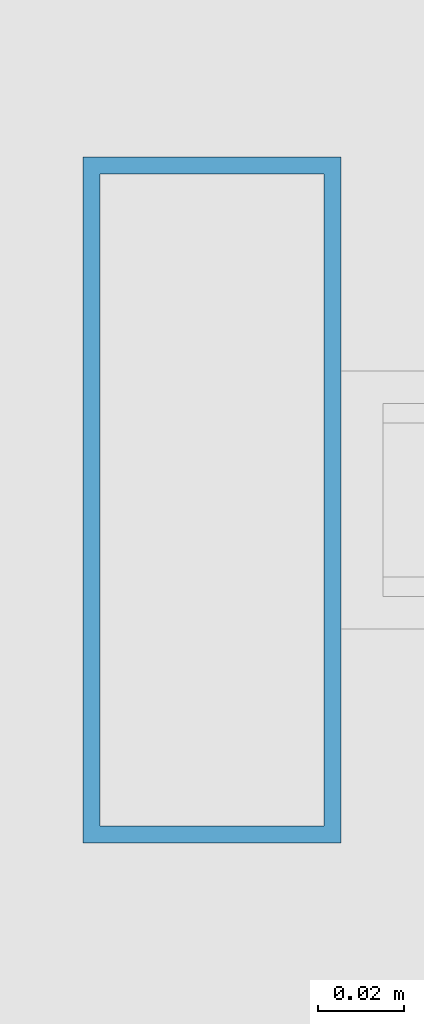
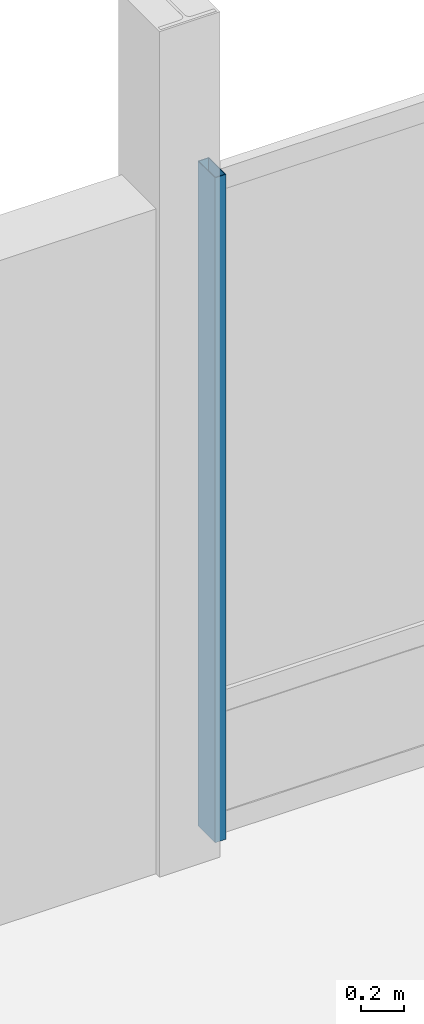
# One storey, part 32 of 193: 1 member, 1 element without a shape of its own.
"""IFC4 building model written with IfcOpenShell, lengths in metres."""

from ifc_helpers import new_model, si_unit, direction, frame, origin, origin_2d, place, context, subcontext, project, spatial, hollow_rectangle, extrude, material, material_profile, profile_set, type_object, element, aggregate, save


model = new_model("IFC4")

# Units and contexts
model_context = context("Model", 3, precision=1e-05, world=origin(), true_north=direction((0.0, 1.0)))
body_context = subcontext(model_context, "Body", "Model", "MODEL_VIEW")
ifc_project = project(units=[si_unit("LENGTHUNIT", "METRE"), si_unit("AREAUNIT", "SQUARE_METRE"), si_unit("VOLUMEUNIT", "CUBIC_METRE"), si_unit("PLANEANGLEUNIT", "RADIAN"), si_unit("MASSUNIT", "GRAM", prefix="KILO")], contexts=[model_context])

# Site, building, storey
site_placement = place(None, origin())
site = spatial("IfcSite", under=ifc_project, at=site_placement, CompositionType="ELEMENT")
building_placement = place(site_placement, origin())
building = spatial("IfcBuilding", under=site, at=building_placement, Name="Cendralis Lancet Convention Centre", CompositionType="ELEMENT")
storey_placement = place(building_placement, frame((0.0, 0.0, 10.199951171875)))
storey = spatial("IfcBuildingStorey", under=building, at=storey_placement, Name="L02", CompositionType="ELEMENT", Elevation=10.199951171875)

# Curtain wall, member
ifc_material = material(Name="Anodised bronze architectural aluminium", Category="aluminium")
curtain_wall_type = type_object("IfcCurtainWallType", Name="ARC-CW-CL02", PredefinedType="USERDEFINED", material=ifc_material)
curtain_wall_placement = place(storey_placement, origin())
curtain_wall = element("IfcCurtainWall", 1, at=curtain_wall_placement, inside=storey, type_object=curtain_wall_type, Name="L02 Curtain Wall CW-CL2 #173", ObjectType="CURTAIN WALL", PredefinedType="USERDEFINED")
ifc_material_profile = material_profile(ifc_material, hollow_rectangle(XDim=0.06005859375, YDim=0.159912109375, WallThickness=0.00390625, at=origin_2d()), Name="AL-MULL 60x160x4.0")
ifc_profile_set = profile_set([ifc_material_profile], Name="Anodised bronze architectural aluminium")
member_type = type_object("IfcMemberType", Name="ARC-CW-ML01", PredefinedType="MULLION", material=ifc_profile_set)
member_placement = place(storey_placement, frame((93.830078125, 36.0, 0.0), z_axis=(0.0, 0.0, 1.0), x_axis=(1.0, 0.0, 0.0)))
member = element("IfcMember", 2, at=member_placement, type_object=member_type, Name="Mullion CW2-CW-CL2-L02-173-M0", PredefinedType="MULLION", context=body_context, shape_type="SweptSolid", body=[
    extrude(hollow_rectangle(XDim=0.06005859375, YDim=0.159912109375, WallThickness=0.00390625, at=origin_2d()), origin(), (0.0, 0.0, 1.0), 3.775146484375),
])
aggregate(curtain_wall, [member])

save(model, "model.ifc")
